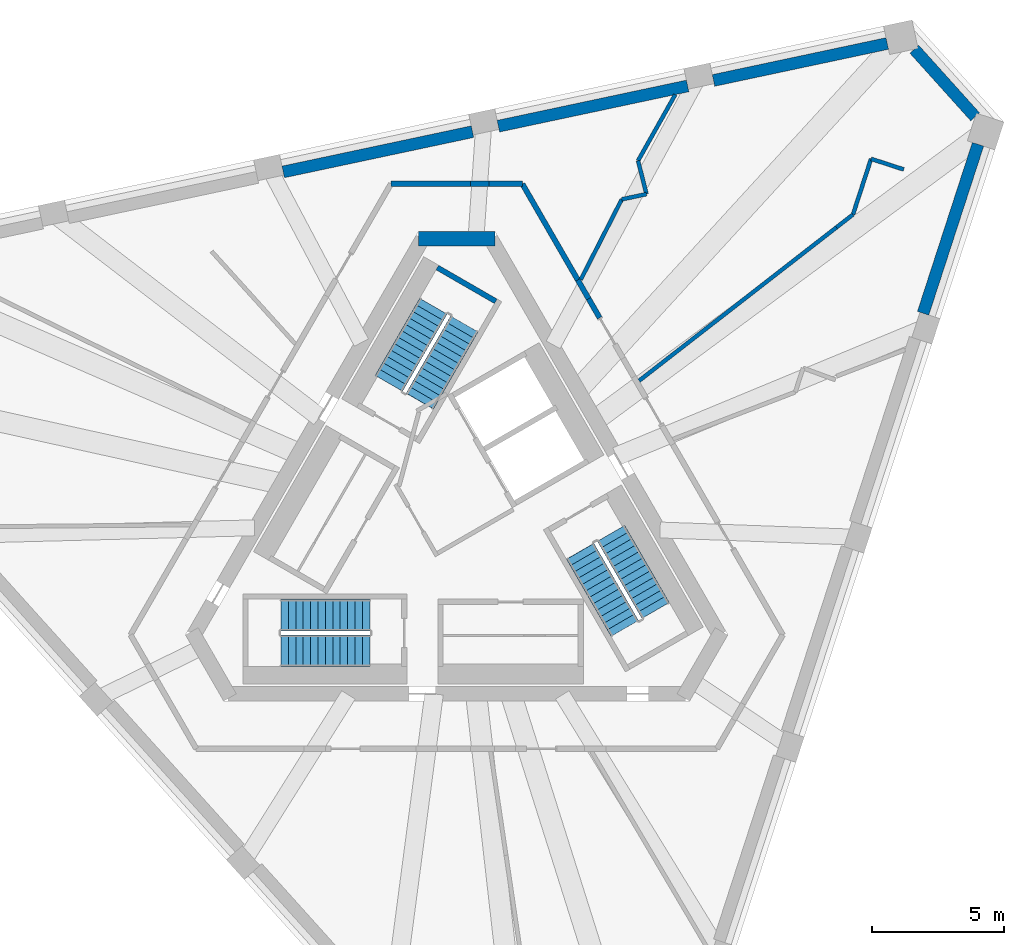
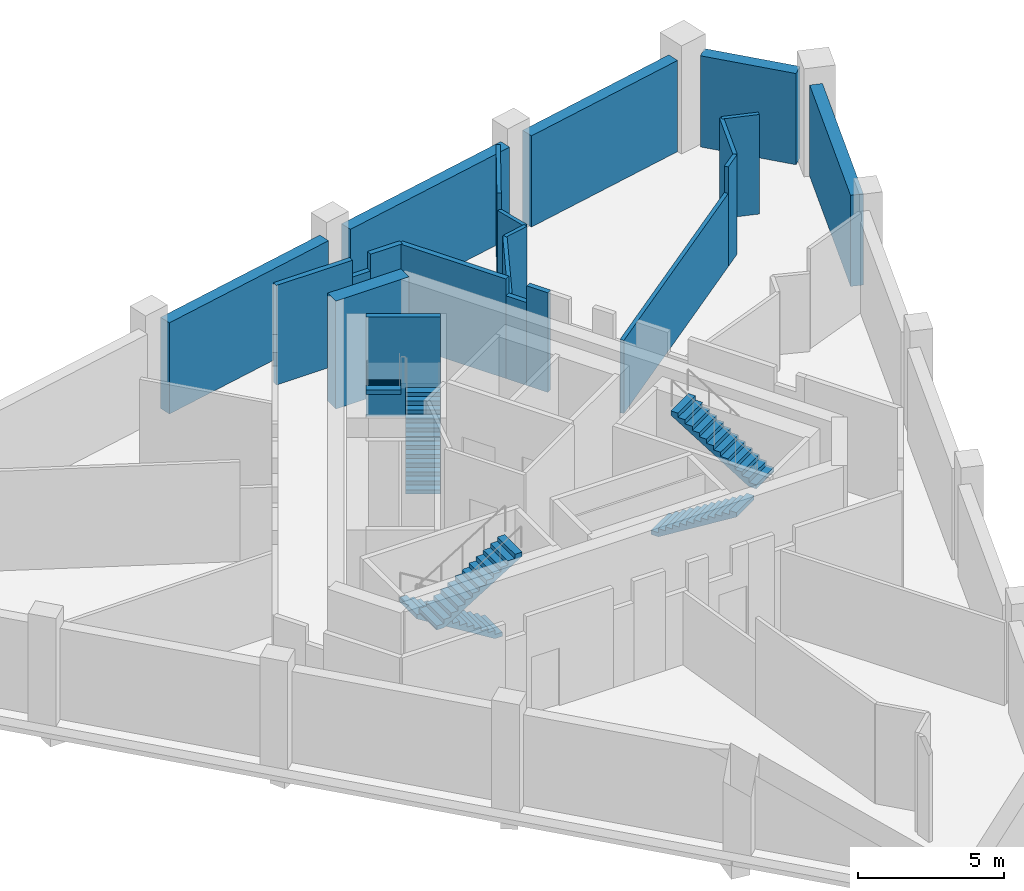
# One storey, part 4 of 5: 21 walls, 6 stair flights, 3 elements without a shape of their own.
"""IFC4 building model written with IfcOpenShell, lengths in metres."""

from ifc_helpers import new_model, si_unit, direction, frame, frame_2d, origin, place, context, subcontext, project, spatial, polyline, rectangle, outline, extrude, material, layer, layer_set, type_object, element, aggregate, save


model = new_model("IFC4")

# Units and contexts
model_context = context("Model", 3, precision=1e-05, world=origin(), true_north=direction((0.0, 1.0)))
body_context = subcontext(model_context, "Body", "Model", "MODEL_VIEW")
ifc_project = project(units=[si_unit("LENGTHUNIT", "METRE"), si_unit("AREAUNIT", "SQUARE_METRE"), si_unit("VOLUMEUNIT", "CUBIC_METRE"), si_unit("PLANEANGLEUNIT", "RADIAN"), si_unit("MASSUNIT", "GRAM", prefix="KILO")], contexts=[model_context])

# Site, building, storey
site_placement = place(None, origin())
site = spatial("IfcSite", under=ifc_project, at=site_placement, CompositionType="ELEMENT")
building_placement = place(site_placement, origin())
building = spatial("IfcBuilding", under=site, at=building_placement, Name="Tramontana Tower", CompositionType="ELEMENT")
storey_placement = place(building_placement, frame((0.0, 0.0, 356.89990234375)))
storey = spatial("IfcBuildingStorey", under=building, at=storey_placement, Name="L82", CompositionType="ELEMENT", Elevation=356.89990234375)

# Walls
ifc_material_1 = material(Name="Concrete 70 MPa", Category="concrete")
ifc_layer_1 = layer(ifc_material_1, 0.550048828125)
ifc_layer_set_1 = layer_set([ifc_layer_1], Name="Core wall 550 70 MPa")
wall_type_1 = type_object("IfcWallType", Name="Core wall 550 70 MPa", PredefinedType="SHEAR", material=ifc_layer_set_1)
wall_1_placement = place(storey_placement, frame((1.443359375, 10.72509765625, 0.0), z_axis=(0.0, 0.0, 1.0), x_axis=(-1.0, 0.0, 0.0)))
element("IfcWall", 1, at=wall_1_placement, inside=storey, type_object=wall_type_1, Name="Core wall C0 L82", PredefinedType="SHEAR", context=body_context, shape_type="SweptSolid", body=[
    extrude(rectangle(XDim=2.88671875, YDim=0.550048828125, at=frame_2d((1.443359375, 0.0))), origin(), (0.0, 0.0, 1.0), 4.5),
])
ifc_material_2 = material(Name="Blockwork", Category="masonry")
ifc_layer_2 = layer(ifc_material_2, 0.199951171875)
ifc_layer_set_2 = layer_set([ifc_layer_2], Name="ENTRY WALL 200")
wall_type_2 = type_object("IfcWallType", Name="ENTRY WALL 200", PredefinedType="SOLIDWALL", material=ifc_layer_set_2)
wall_2_placement = place(storey_placement, frame((-2.482666015625, 12.800048828125, 0.0), z_axis=(0.0, 0.0, 1.0), x_axis=(1.0, 0.0, 0.0)))
element("IfcWall", 2, at=wall_2_placement, inside=storey, type_object=wall_type_2, Name="Wall ew4-0", PredefinedType="SOLIDWALL", context=body_context, shape_type="SweptSolid", body=[
    extrude(rectangle(XDim=3.0029296875, YDim=0.199951171875, at=frame_2d((1.50146484375, 0.0))), origin(), (0.0, 0.0, 1.0), 4.150146484375),
])
wall_3_placement = place(storey_placement, frame((0.520263671875, 12.800048828125, 0.0), z_axis=(0.0, 0.0, 1.0), x_axis=(1.0, 0.0, 0.0)))
element("IfcWall", 3, at=wall_3_placement, inside=storey, type_object=wall_type_2, Name="Wall ew4-1", PredefinedType="SOLIDWALL", context=body_context, shape_type="SweptSolid", body=[
    extrude(rectangle(XDim=0.701416015625, YDim=0.199951171875, at=frame_2d((0.3505859375, 0.0))), origin(), (0.0, 0.0, 1.0), 3.4501953125),
])
wall_4_placement = place(storey_placement, frame((1.2216796875, 12.800048828125, 0.0), z_axis=(0.0, 0.0, 1.0), x_axis=(1.0, 0.0, 0.0)))
element("IfcWall", 4, at=wall_4_placement, inside=storey, type_object=wall_type_2, Name="Wall ew4-2", PredefinedType="SOLIDWALL", context=body_context, shape_type="SweptSolid", body=[
    extrude(rectangle(XDim=1.260986328125, YDim=0.199951171875, at=frame_2d((0.63037109375, 0.0))), origin(), (0.0, 0.0, 1.0), 4.150146484375),
])
wall_5_placement = place(storey_placement, frame((2.482666015625, 12.800048828125, 0.0), z_axis=(0.0, 0.0, 1.0), x_axis=(0.499982771656, -0.866035350345, 0.0)))
element("IfcWall", 5, at=wall_5_placement, inside=storey, type_object=wall_type_2, Name="Wall ew5-0", PredefinedType="SOLIDWALL", context=body_context, shape_type="SweptSolid", body=[
    extrude(rectangle(XDim=4.194580078125, YDim=0.199951171875, at=frame_2d((2.09716796875, 0.0))), origin(), (0.0, 0.0, 1.0), 4.150146484375),
])
wall_6_placement = place(storey_placement, frame((4.579833984375, 9.16748046875, 0.0), z_axis=(0.0, 0.0, 1.0), x_axis=(0.499945576647, -0.866056822842, 0.0)))
element("IfcWall", 6, at=wall_6_placement, inside=storey, type_object=wall_type_2, Name="Wall ew5-1", PredefinedType="SOLIDWALL", context=body_context, shape_type="SweptSolid", body=[
    extrude(rectangle(XDim=0.82080078125, YDim=0.199951171875, at=frame_2d((0.410400390625, 0.0))), origin(), (0.0, 0.0, 1.0), 3.4501953125),
])
wall_7_placement = place(storey_placement, frame((4.990234375, 8.45654296875, 0.0), z_axis=(0.0, 0.0, 1.0), x_axis=(0.500027802648, -0.866009351323, 0.0)))
element("IfcWall", 7, at=wall_7_placement, inside=storey, type_object=wall_type_2, Name="Wall ew5-2", PredefinedType="SOLIDWALL", context=body_context, shape_type="SweptSolid", body=[
    extrude(rectangle(XDim=0.83056640625, YDim=0.199951171875, at=frame_2d((0.415283203125, 0.0))), origin(), (0.0, 0.0, 1.0), 4.150146484375),
])
ifc_material_3 = material(Name="Precast concrete 60 MPa", Category="concrete")
ifc_layer_3 = layer(ifc_material_3, 0.449951171875)
ifc_layer_set_3 = layer_set([ifc_layer_3], Name="Precast concrete 60 MPa, 450 mm")
wall_type_3 = type_object("IfcWallType", Name="EW1 Stone-faced precast wall 450", PredefinedType="SOLIDWALL", material=ifc_layer_set_3)
wall_8_placement = place(storey_placement, frame((17.632080078125, 7.9091796875, 0.0), z_axis=(0.0, 0.0, 1.0), x_axis=(0.309018647645, 0.951055979114, 0.0)))
element("IfcWall", 8, at=wall_8_placement, inside=storey, type_object=wall_type_3, Name="Stone band wall L82 face 1s 5", PredefinedType="SOLIDWALL", context=body_context, shape_type="SweptSolid", body=[
    extrude(rectangle(XDim=6.7138671875, YDim=0.449951171875, at=frame_2d((3.35693359375, 0.0))), origin(), (0.0, 0.0, 1.0), 3.800048828125),
])
wall_9_placement = place(storey_placement, frame((19.597900390625, 15.334716796875, 0.0), z_axis=(0.0, 0.0, 1.0), x_axis=(-0.669109997009, 0.743163381702, 0.0)))
element("IfcWall", 9, at=wall_9_placement, inside=storey, type_object=wall_type_3, Name="Stone band wall L82 face 2k 1", PredefinedType="SOLIDWALL", context=body_context, shape_type="SweptSolid", body=[
    extrude(rectangle(XDim=3.435302734375, YDim=0.449951171875, at=frame_2d((1.7177734375, 0.0))), origin(), (0.0, 0.0, 1.0), 3.800048828125),
])
for number, where, z_axis, x_axis, name in (
    (10, (0.5986328125, 14.772216796875, 0.0), (0.0, 0.0, 1.0), (-0.978151299843, -0.207894287118, 0.0), "Stone band wall L82 face 2s 3"),
    (11, (8.73095703125, 16.500732421875, 0.0), (0.0, 0.0, 1.0), (-0.978151299843, -0.207894287118, 0.0), "Stone band wall L82 face 2s 4"),
):
    element("IfcWall", number, at=place(storey_placement, frame(where, z_axis=z_axis, x_axis=x_axis)), inside=storey, type_object=wall_type_3, Name=name, PredefinedType="SOLIDWALL", context=body_context, shape_type="SweptSolid", body=[
        extrude(rectangle(XDim=7.31396484375, YDim=0.449951171875, at=frame_2d((3.656982421875, 0.0))), origin(), (0.0, 0.0, 1.0), 3.800048828125),
    ])
wall_10_placement = place(storey_placement, frame((16.276123046875, 18.104736328125, 0.0), z_axis=(0.0, 0.0, 1.0), x_axis=(-0.978144338977, -0.207927035587, 0.0)))
element("IfcWall", 12, at=wall_10_placement, inside=storey, type_object=wall_type_3, Name="Stone band wall L82 face 2s 5", PredefinedType="SOLIDWALL", context=body_context, shape_type="SweptSolid", body=[
    extrude(rectangle(XDim=6.7138671875, YDim=0.449951171875, at=frame_2d((3.35693359375, 0.0))), origin(), (0.0, 0.0, 1.0), 3.800048828125),
])
ifc_material_4 = material(Name="Gypsum board partition")
ifc_layer_4 = layer(ifc_material_4, 0.14990234375)
ifc_layer_set_4 = layer_set([ifc_layer_4], Name="PARTITION 150")
wall_type_4 = type_object("IfcWallType", Name="PARTITION 150", PredefinedType="PARTITIONING", material=ifc_layer_set_4)
wall_11_placement = place(storey_placement, frame((4.689453125, 9.177734375, 0.0), z_axis=(0.0, 0.0, 1.0), x_axis=(0.454986170549, 0.890498503429, 0.0)))
element("IfcWall", 13, at=wall_11_placement, inside=storey, type_object=wall_type_4, Name="Wall fw-pw08-0", PredefinedType="PARTITIONING", context=body_context, shape_type="SweptSolid", body=[
    extrude(rectangle(XDim=3.409912109375, YDim=0.14990234375, at=frame_2d((1.705078125, 0.0))), origin(), (0.0, 0.0, 1.0), 3.4501953125),
])
wall_12_placement = place(storey_placement, frame((6.240966796875, 12.21435546875, 0.0), z_axis=(0.0, 0.0, 1.0), x_axis=(0.978156899052, 0.207867940861, 0.0)))
element("IfcWall", 14, at=wall_12_placement, inside=storey, type_object=wall_type_4, Name="Wall fw-pw10-0", PredefinedType="PARTITIONING", context=body_context, shape_type="SweptSolid", body=[
    extrude(rectangle(XDim=0.95361328125, YDim=0.14990234375, at=frame_2d((0.476806640625, 0.0))), origin(), (0.0, 0.0, 1.0), 3.4501953125),
])
wall_13_placement = place(storey_placement, frame((6.856201171875, 13.67431640625, 0.0), z_axis=(0.0, 0.0, 1.0), x_axis=(0.490827341064, 0.871256862965, 0.0)))
element("IfcWall", 15, at=wall_13_placement, inside=storey, type_object=wall_type_4, Name="Wall fw-pw11", PredefinedType="PARTITIONING", context=body_context, shape_type="SweptSolid", body=[
    extrude(rectangle(XDim=2.865966796875, YDim=0.14990234375, at=frame_2d((1.43310546875, 0.0))), origin(), (0.0, 0.0, 1.0), 4.150146484375),
])
wall_14_placement = place(storey_placement, frame((6.89501953125, 5.357421875, 0.0), z_axis=(0.0, 0.0, 1.0), x_axis=(0.789642975189, 0.613566599266, 0.0)))
element("IfcWall", 16, at=wall_14_placement, inside=storey, type_object=wall_type_4, Name="Wall fw-pw12-0", PredefinedType="PARTITIONING", context=body_context, shape_type="SweptSolid", body=[
    extrude(rectangle(XDim=9.446533203125, YDim=0.14990234375, at=frame_2d((4.72314453125, 0.0))), origin(), (0.0, 0.0, 1.0), 3.050048828125),
])
wall_15_placement = place(storey_placement, frame((14.3544921875, 11.153564453125, 0.0), z_axis=(0.0, 0.0, 1.0), x_axis=(0.789667695436, 0.61353478368, 0.0)))
element("IfcWall", 17, at=wall_15_placement, inside=storey, type_object=wall_type_4, Name="Wall fw-pw12-1", PredefinedType="PARTITIONING", context=body_context, shape_type="SweptSolid", body=[
    extrude(rectangle(XDim=0.79150390625, YDim=0.14990234375, at=frame_2d((0.395751953125, 0.0))), origin(), (0.0, 0.0, 1.0), 4.150146484375),
])
wall_16_placement = place(storey_placement, frame((7.17529296875, 12.4150390625, 0.0), z_axis=(0.0, 0.0, 1.0), x_axis=(-0.245629774487, 0.969363715994, 0.0)))
element("IfcWall", 18, at=wall_16_placement, inside=storey, type_object=wall_type_4, Name="Wall fw-pw14-0", PredefinedType="PARTITIONING", context=body_context, shape_type="SweptSolid", body=[
    extrude(rectangle(XDim=1.299072265625, YDim=0.14990234375, at=frame_2d((0.6494140625, 0.0))), origin(), (0.0, 0.0, 1.0), 3.4501953125),
])
wall_17_placement = place(storey_placement, frame((14.980224609375, 11.64013671875, 0.0), z_axis=(0.0, 0.0, 1.0), x_axis=(0.309006275216, 0.951059999094, 0.0)))
element("IfcWall", 19, at=wall_17_placement, inside=storey, type_object=wall_type_4, Name="Wall fw-pw19", PredefinedType="PARTITIONING", context=body_context, shape_type="SweptSolid", body=[
    extrude(rectangle(XDim=2.2138671875, YDim=0.14990234375, at=frame_2d((1.10693359375, 0.0))), origin(), (0.0, 0.0, 1.0), 4.150146484375),
])
wall_18_placement = place(storey_placement, frame((15.664306640625, 13.74560546875, 0.0), z_axis=(0.0, 0.0, 1.0), x_axis=(0.951023027266, -0.309120044013, 0.0)))
element("IfcWall", 20, at=wall_18_placement, inside=storey, type_object=wall_type_4, Name="Wall fw-pw20", PredefinedType="PARTITIONING", context=body_context, shape_type="SweptSolid", body=[
    extrude(rectangle(XDim=1.300048828125, YDim=0.14990234375, at=frame_2d((0.64990234375, 0.0))), origin(), (0.0, 0.0, 1.0), 4.150146484375),
])
ifc_material_5 = material(Name="Concrete 70 MPa", Category="concrete")
ifc_layer_5 = layer(ifc_material_5, 0.199951171875)
ifc_layer_set_5 = layer_set([ifc_layer_5], Name="Concrete 70 MPa, 200 mm")
wall_type_5 = type_object("IfcWallType", Name="RC STAIR AND SHAFT WALL 200", PredefinedType="SOLIDWALL", material=ifc_layer_set_5)
wall_19_placement = place(storey_placement, frame((1.478515625, 8.36083984375, 0.0), z_axis=(0.0, 0.0, 1.0), x_axis=(-0.865989465428, 0.500062241894, 0.0)))
element("IfcWall", 21, at=wall_19_placement, inside=storey, type_object=wall_type_5, Name="Wall st1-far", PredefinedType="SOLIDWALL", context=body_context, shape_type="SweptSolid", body=[
    extrude(rectangle(XDim=2.550048828125, YDim=0.199951171875, at=frame_2d((1.27490234375, 0.0))), origin(), (0.0, 0.0, 1.0), 4.150146484375),
])

# Stair, stair flights
ifc_material_6 = material(Name="Concrete 40 MPa", Category="concrete")
stair_type = type_object("IfcStairType", Name="EXIT STAIR 26 RISERS", PredefinedType="HALF_TURN_STAIR", material=ifc_material_6)
stair_1_placement = place(storey_placement, origin())
stair_1 = element("IfcStair", 22, at=stair_1_placement, inside=storey, type_object=stair_type, Name="L82 Exit stair ST1", PredefinedType="HALF_TURN_STAIR")
ifc_material_7 = material(Name="Concrete 40 MPa", Category="concrete")
ifc_layer_6 = layer(ifc_material_7, 0.14990234375)
ifc_layer_set_6 = layer_set([ifc_layer_6], Name="EXIT STAIR FLIGHT")
stair_flight_type = type_object("IfcStairFlightType", Name="EXIT STAIR FLIGHT", PredefinedType="STRAIGHT", material=ifc_layer_set_6)
stair_flight_1_placement = place(storey_placement, frame((-1.39111328125, 4.590576171875, 0.0), z_axis=(0.0, 0.0, 1.0), x_axis=(0.5, 0.866025403784, 0.0)))
stair_flight_1 = element("IfcStairFlight", 23, at=stair_flight_1_placement, type_object=stair_flight_type, Name="ST1 flight 1", NumberOfRisers=13, NumberOfTreads=12, PredefinedType="STRAIGHT", RiserHeight=0.173076923, TreadLength=0.28, context=body_context, shape_type="SweptSolid", body=[
    extrude(outline(polyline([(-0.006103515625, 0.0), (-0.006103515625, 0.0400390625), (0.0, 0.0400390625), (0.0, 0.173095703125), (0.280029296875, 0.173095703125), (0.280029296875, 0.34619140625), (0.56005859375, 0.34619140625), (0.56005859375, 0.519287109375), (0.840087890625, 0.519287109375), (0.840087890625, 0.6923828125), (1.1201171875, 0.6923828125), (1.1201171875, 0.865478515625), (1.39990234375, 0.865478515625), (1.39990234375, 1.03857421875), (1.679931640625, 1.03857421875), (1.679931640625, 1.21142578125), (1.9599609375, 1.21142578125), (1.9599609375, 1.384521484375), (2.239990234375, 1.384521484375), (2.239990234375, 1.5576171875), (2.52001953125, 1.5576171875), (2.52001953125, 1.730712890625), (2.800048828125, 1.730712890625), (2.800048828125, 1.90380859375), (3.080078125, 1.90380859375), (3.080078125, 2.076904296875), (3.360107421875, 2.076904296875), (3.365966796875, 2.076904296875), (3.365966796875, 1.900634765625), (0.291015625, 0.0), (-0.006103515625, 0.0)])), frame((0.0, 0.60009765625, 0.0), z_axis=(0.0, -1.0, 0.0), x_axis=(1.0, 0.0, 0.0)), (0.0, 0.0, 1.0), 1.199951171875),
])
stair_flight_2_placement = place(storey_placement, frame((-0.880126953125, 8.17529296875, 2.25), z_axis=(0.0, 0.0, 1.0), x_axis=(-0.5, -0.866025403784, 0.0)))
stair_flight_2 = element("IfcStairFlight", 24, at=stair_flight_2_placement, type_object=stair_flight_type, Name="ST1 flight 2", NumberOfRisers=13, NumberOfTreads=12, PredefinedType="STRAIGHT", RiserHeight=0.173076923, TreadLength=0.28, context=body_context, shape_type="SweptSolid", body=[
    extrude(outline(polyline([(-0.006103515625, 0.0), (-0.006103515625, 0.0400390625), (0.0, 0.0400390625), (0.0, 0.173095703125), (0.280029296875, 0.173095703125), (0.280029296875, 0.34619140625), (0.56005859375, 0.34619140625), (0.56005859375, 0.519287109375), (0.840087890625, 0.519287109375), (0.840087890625, 0.6923828125), (1.1201171875, 0.6923828125), (1.1201171875, 0.865478515625), (1.39990234375, 0.865478515625), (1.39990234375, 1.03857421875), (1.679931640625, 1.03857421875), (1.679931640625, 1.21142578125), (1.9599609375, 1.21142578125), (1.9599609375, 1.384521484375), (2.239990234375, 1.384521484375), (2.239990234375, 1.5576171875), (2.52001953125, 1.5576171875), (2.52001953125, 1.730712890625), (2.800048828125, 1.730712890625), (2.800048828125, 1.90380859375), (3.080078125, 1.90380859375), (3.080078125, 2.076904296875), (3.360107421875, 2.076904296875), (3.365966796875, 2.076904296875), (3.365966796875, 1.900634765625), (0.291015625, 0.0), (-0.006103515625, 0.0)])), frame((0.0, 0.60009765625, 0.0), z_axis=(0.0, -1.0, 0.0), x_axis=(1.0, 0.0, 0.0)), (0.0, 0.0, 1.0), 1.199951171875),
])
aggregate(stair_1, [stair_flight_1, stair_flight_2])

stair_2_placement = place(storey_placement, origin())
stair_2 = element("IfcStair", 25, at=stair_2_placement, inside=storey, type_object=stair_type, Name="L82 Exit stair ST2", PredefinedType="HALF_TURN_STAIR")
stair_flight_3_placement = place(storey_placement, frame((-3.280029296875, -3.5, 0.0), z_axis=(0.0, 0.0, 1.0), x_axis=(-1.0, 0.0, 0.0)))
stair_flight_3 = element("IfcStairFlight", 26, at=stair_flight_3_placement, type_object=stair_flight_type, Name="ST2 flight 1", NumberOfRisers=13, NumberOfTreads=12, PredefinedType="STRAIGHT", RiserHeight=0.173076923, TreadLength=0.28, context=body_context, shape_type="SweptSolid", body=[
    extrude(outline(polyline([(-0.006103515625, 0.0), (-0.006103515625, 0.0400390625), (0.0, 0.0400390625), (0.0, 0.173095703125), (0.280029296875, 0.173095703125), (0.280029296875, 0.34619140625), (0.56005859375, 0.34619140625), (0.56005859375, 0.519287109375), (0.840087890625, 0.519287109375), (0.840087890625, 0.6923828125), (1.1201171875, 0.6923828125), (1.1201171875, 0.865478515625), (1.39990234375, 0.865478515625), (1.39990234375, 1.03857421875), (1.679931640625, 1.03857421875), (1.679931640625, 1.21142578125), (1.9599609375, 1.21142578125), (1.9599609375, 1.384521484375), (2.239990234375, 1.384521484375), (2.239990234375, 1.5576171875), (2.52001953125, 1.5576171875), (2.52001953125, 1.730712890625), (2.800048828125, 1.730712890625), (2.800048828125, 1.90380859375), (3.080078125, 1.90380859375), (3.080078125, 2.076904296875), (3.360107421875, 2.076904296875), (3.365966796875, 2.076904296875), (3.365966796875, 1.900634765625), (0.291015625, 0.0), (-0.006103515625, 0.0)])), frame((0.0, 0.60009765625, 0.0), z_axis=(0.0, -1.0, 0.0), x_axis=(1.0, 0.0, 0.0)), (0.0, 0.0, 1.0), 1.199951171875),
])
stair_flight_4_placement = place(storey_placement, frame((-6.639892578125, -4.85009765625, 2.25), z_axis=(0.0, 0.0, 1.0), x_axis=(1.0, 0.0, 0.0)))
stair_flight_4 = element("IfcStairFlight", 27, at=stair_flight_4_placement, type_object=stair_flight_type, Name="ST2 flight 2", NumberOfRisers=13, NumberOfTreads=12, PredefinedType="STRAIGHT", RiserHeight=0.173076923, TreadLength=0.28, context=body_context, shape_type="SweptSolid", body=[
    extrude(outline(polyline([(-0.006103515625, 0.0), (-0.006103515625, 0.0400390625), (0.0, 0.0400390625), (0.0, 0.173095703125), (0.280029296875, 0.173095703125), (0.280029296875, 0.34619140625), (0.56005859375, 0.34619140625), (0.56005859375, 0.519287109375), (0.840087890625, 0.519287109375), (0.840087890625, 0.6923828125), (1.1201171875, 0.6923828125), (1.1201171875, 0.865478515625), (1.39990234375, 0.865478515625), (1.39990234375, 1.03857421875), (1.679931640625, 1.03857421875), (1.679931640625, 1.21142578125), (1.9599609375, 1.21142578125), (1.9599609375, 1.384521484375), (2.239990234375, 1.384521484375), (2.239990234375, 1.5576171875), (2.52001953125, 1.5576171875), (2.52001953125, 1.730712890625), (2.800048828125, 1.730712890625), (2.800048828125, 1.90380859375), (3.080078125, 1.90380859375), (3.080078125, 2.076904296875), (3.360107421875, 2.076904296875), (3.365966796875, 2.076904296875), (3.365966796875, 1.900634765625), (0.291015625, 0.0), (-0.006103515625, 0.0)])), frame((0.0, 0.60009765625, 0.0), z_axis=(0.0, -1.0, 0.0), x_axis=(1.0, 0.0, 0.0)), (0.0, 0.0, 1.0), 1.199951171875),
])
aggregate(stair_2, [stair_flight_3, stair_flight_4])

stair_3_placement = place(storey_placement, origin())
stair_3 = element("IfcStair", 28, at=stair_3_placement, inside=storey, type_object=stair_type, Name="L82 Exit stair ST3", PredefinedType="HALF_TURN_STAIR")
stair_flight_5_placement = place(storey_placement, frame((4.671142578125, -1.090576171875, 0.0), z_axis=(0.0, 0.0, 1.0), x_axis=(0.5, -0.866025403784, 0.0)))
stair_flight_5 = element("IfcStairFlight", 29, at=stair_flight_5_placement, type_object=stair_flight_type, Name="ST3 flight 1", NumberOfRisers=13, NumberOfTreads=12, PredefinedType="STRAIGHT", RiserHeight=0.173076923, TreadLength=0.28, context=body_context, shape_type="SweptSolid", body=[
    extrude(outline(polyline([(-0.006103515625, 0.0), (-0.006103515625, 0.0400390625), (0.0, 0.0400390625), (0.0, 0.173095703125), (0.280029296875, 0.173095703125), (0.280029296875, 0.34619140625), (0.56005859375, 0.34619140625), (0.56005859375, 0.519287109375), (0.840087890625, 0.519287109375), (0.840087890625, 0.6923828125), (1.1201171875, 0.6923828125), (1.1201171875, 0.865478515625), (1.39990234375, 0.865478515625), (1.39990234375, 1.03857421875), (1.679931640625, 1.03857421875), (1.679931640625, 1.21142578125), (1.9599609375, 1.21142578125), (1.9599609375, 1.384521484375), (2.239990234375, 1.384521484375), (2.239990234375, 1.5576171875), (2.52001953125, 1.5576171875), (2.52001953125, 1.730712890625), (2.800048828125, 1.730712890625), (2.800048828125, 1.90380859375), (3.080078125, 1.90380859375), (3.080078125, 2.076904296875), (3.360107421875, 2.076904296875), (3.365966796875, 2.076904296875), (3.365966796875, 1.900634765625), (0.291015625, 0.0), (-0.006103515625, 0.0)])), frame((0.0, 0.60009765625, 0.0), z_axis=(0.0, -1.0, 0.0), x_axis=(1.0, 0.0, 0.0)), (0.0, 0.0, 1.0), 1.199951171875),
])
stair_flight_6_placement = place(storey_placement, frame((7.520263671875, -3.325439453125, 2.25), z_axis=(0.0, 0.0, 1.0), x_axis=(-0.5, 0.866025403784, 0.0)))
stair_flight_6 = element("IfcStairFlight", 30, at=stair_flight_6_placement, type_object=stair_flight_type, Name="ST3 flight 2", NumberOfRisers=13, NumberOfTreads=12, PredefinedType="STRAIGHT", RiserHeight=0.173076923, TreadLength=0.28, context=body_context, shape_type="SweptSolid", body=[
    extrude(outline(polyline([(-0.006103515625, 0.0), (-0.006103515625, 0.0400390625), (0.0, 0.0400390625), (0.0, 0.173095703125), (0.280029296875, 0.173095703125), (0.280029296875, 0.34619140625), (0.56005859375, 0.34619140625), (0.56005859375, 0.519287109375), (0.840087890625, 0.519287109375), (0.840087890625, 0.6923828125), (1.1201171875, 0.6923828125), (1.1201171875, 0.865478515625), (1.39990234375, 0.865478515625), (1.39990234375, 1.03857421875), (1.679931640625, 1.03857421875), (1.679931640625, 1.21142578125), (1.9599609375, 1.21142578125), (1.9599609375, 1.384521484375), (2.239990234375, 1.384521484375), (2.239990234375, 1.5576171875), (2.52001953125, 1.5576171875), (2.52001953125, 1.730712890625), (2.800048828125, 1.730712890625), (2.800048828125, 1.90380859375), (3.080078125, 1.90380859375), (3.080078125, 2.076904296875), (3.360107421875, 2.076904296875), (3.365966796875, 2.076904296875), (3.365966796875, 1.900634765625), (0.291015625, 0.0), (-0.006103515625, 0.0)])), frame((0.0, 0.60009765625, 0.0), z_axis=(0.0, -1.0, 0.0), x_axis=(1.0, 0.0, 0.0)), (0.0, 0.0, 1.0), 1.199951171875),
])
aggregate(stair_3, [stair_flight_5, stair_flight_6])

save(model, "model.ifc")
